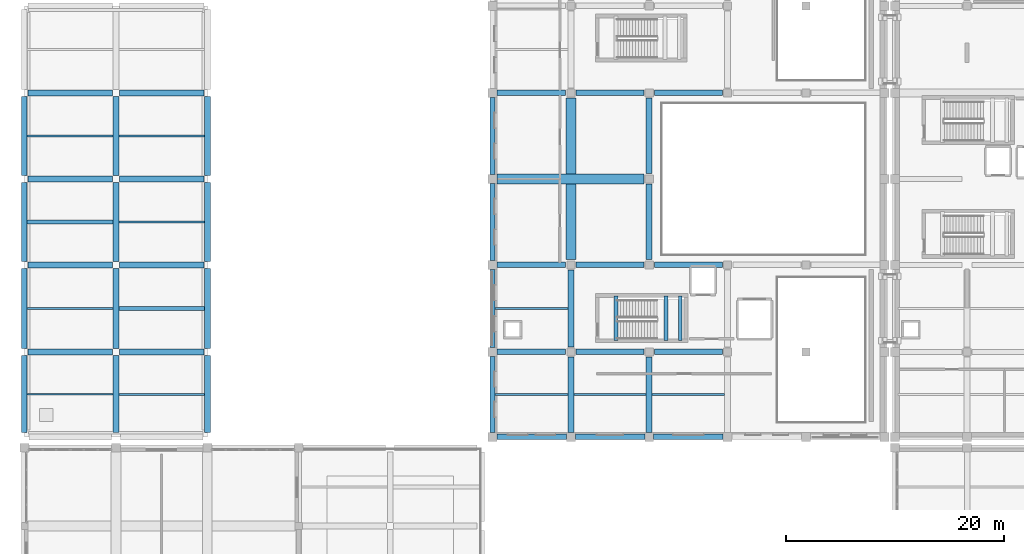
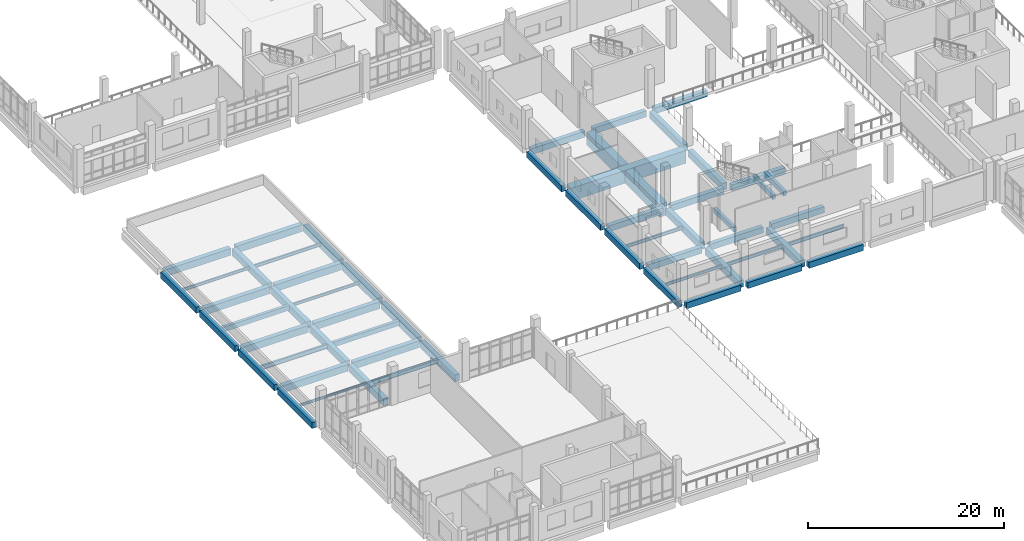
# One storey, part 6 of 73: 58 beams.
"""IFC4 building model written with IfcOpenShell, lengths in metres."""

from ifc_helpers import new_model, si_unit, direction, frame, origin, origin_2d, place, context, subcontext, project, spatial, rectangle, i_section, extrude, material, material_profile, profile_set, type_object, element, save


model = new_model("IFC4")

# Units and contexts
model_context = context("Model", 3, precision=1e-05, world=origin(), true_north=direction((0.0, 1.0)))
body_context = subcontext(model_context, "Body", "Model", "MODEL_VIEW")
ifc_project = project(units=[si_unit("LENGTHUNIT", "METRE"), si_unit("AREAUNIT", "SQUARE_METRE"), si_unit("VOLUMEUNIT", "CUBIC_METRE"), si_unit("PLANEANGLEUNIT", "RADIAN"), si_unit("MASSUNIT", "GRAM", prefix="KILO")], contexts=[model_context])

# Site, building, storey
site_placement = place(None, origin())
site = spatial("IfcSite", under=ifc_project, at=site_placement, CompositionType="ELEMENT")
building_placement = place(site_placement, origin())
building = spatial("IfcBuilding", under=site, at=building_placement, Name="Kelarvand Opera House", CompositionType="ELEMENT")
storey_placement = place(building_placement, frame((0.0, 0.0, 10.199951171875)))
storey = spatial("IfcBuildingStorey", under=building, at=storey_placement, Name="L02", CompositionType="ELEMENT", Elevation=10.199951171875)

# Beams
ifc_material_1 = material(Name="Concrete C35/45", Category="concrete")
ifc_material_profile_1 = material_profile(ifc_material_1, rectangle(XDim=0.35009765625, YDim=0.60009765625, at=origin_2d()), Name="RC 350x600", Category="concrete")
ifc_profile_set_1 = profile_set([ifc_material_profile_1], Name="Concrete C35/45")
beam_type_1 = type_object("IfcBeamType", Name="Structural Beam RC 350x600 BM-RC350x600", PredefinedType="BEAM", material=ifc_profile_set_1)
beam_1_placement = place(storey_placement, frame((9.25, 58.550048828125, -0.599853515625), z_axis=(1.0, 0.0, 0.0), x_axis=(0.0, 1.0, 0.0)))
element("IfcBeam", 1, at=beam_1_placement, inside=storey, type_object=beam_type_1, Name="V4 L02 Beam BM-RC350x600", PredefinedType="BEAM", context=body_context, shape_type="SweptSolid", body=[
    extrude(rectangle(XDim=0.35009765625, YDim=0.60009765625, at=origin_2d()), origin(), (0.0, 0.0, 1.0), 7.875),
])
beam_2_placement = place(storey_placement, frame((17.675048828125, 50.60009765625, -0.599853515625), z_axis=(1.0, 0.0, 0.0), x_axis=(0.0, 1.0, 0.0)))
element("IfcBeam", 2, at=beam_2_placement, inside=storey, type_object=beam_type_1, Name="V4 L02 Beam BM-RC350x600", PredefinedType="BEAM", context=body_context, shape_type="SweptSolid", body=[
    extrude(rectangle(XDim=0.35009765625, YDim=0.60009765625, at=origin_2d()), origin(), (0.0, 0.0, 1.0), 7.849853515625),
])
for number, where, z_axis, x_axis, name in (
    (3, (63.340087890625, 47.64990234375, -0.52001953125), (0.0, 1.0, 0.0), (-1.0, 0.0, 0.0), "C2 Stair Landing Support Beam L02"),
    (4, (67.949951171875, 47.64990234375, 1.900146484375), (0.0, 1.0, 0.0), (-1.0, 0.0, 0.0), "C2 Stair Half-Landing Beam 1 L02"),
    (5, (69.25, 47.64990234375, 1.900146484375), (0.0, 1.0, 0.0), (-1.0, 0.0, 0.0), "C2 Stair Half-Landing Beam 2 L02"),
):
    element("IfcBeam", number, at=place(storey_placement, frame(where, z_axis=z_axis, x_axis=x_axis)), inside=storey, type_object=beam_type_1, Name=name, PredefinedType="BEAM", context=body_context, shape_type="SweptSolid", body=[
        extrude(rectangle(XDim=0.35009765625, YDim=0.60009765625, at=origin_2d()), origin(), (0.0, 0.0, 1.0), 4.10009765625),
    ])
ifc_material_2 = material(Name="Concrete C40/50", Category="concrete")
ifc_material_profile_2 = material_profile(ifc_material_2, rectangle(XDim=0.5, YDim=0.75, at=origin_2d()), Name="RC 500x750", Category="concrete")
ifc_profile_set_2 = profile_set([ifc_material_profile_2], Name="Concrete C40/50")
beam_type_2 = type_object("IfcBeamType", Name="Structural Beam RC 500x750 BM-RC500x750", PredefinedType="BEAM", material=ifc_profile_set_2)
beam_3_placement = place(storey_placement, frame((52.409912109375, 46.60009765625, -0.695068359375), z_axis=(1.0, 0.0, 0.0), x_axis=(0.0, 1.0, 0.0)))
element("IfcBeam", 6, at=beam_3_placement, inside=storey, type_object=beam_type_2, Name="V2 L02 Beam BM-RC500x750", PredefinedType="BEAM", context=body_context, shape_type="SweptSolid", body=[
    extrude(rectangle(XDim=0.5, YDim=0.75, at=origin_2d()), origin(), (0.0, 0.0, 1.0), 6.315185546875),
])
for number, where, z_axis, x_axis, name in (
    (7, (59.675048828125, 46.60009765625, -0.695068359375), (1.0, 0.0, 0.0), (0.0, 1.0, 0.0), "V2 L02 Beam BM-RC500x750"),
    (8, (66.875, 46.60009765625, -0.695068359375), (1.0, 0.0, 0.0), (0.0, 1.0, 0.0), "V2 L02 Beam BM-RC500x750"),
):
    element("IfcBeam", number, at=place(storey_placement, frame(where, z_axis=z_axis, x_axis=x_axis)), inside=storey, type_object=beam_type_2, Name=name, PredefinedType="BEAM", context=body_context, shape_type="SweptSolid", body=[
        extrude(rectangle(XDim=0.5, YDim=0.75, at=origin_2d()), origin(), (0.0, 0.0, 1.0), 6.25),
    ])
beam_4_placement = place(storey_placement, frame((52.409912109375, 54.60009765625, -0.695068359375), z_axis=(1.0, 0.0, 0.0), x_axis=(0.0, 1.0, 0.0)))
element("IfcBeam", 9, at=beam_4_placement, inside=storey, type_object=beam_type_2, Name="V2 L02 Beam BM-RC500x750", PredefinedType="BEAM", context=body_context, shape_type="SweptSolid", body=[
    extrude(rectangle(XDim=0.5, YDim=0.75, at=origin_2d()), origin(), (0.0, 0.0, 1.0), 6.315185546875),
])
for number, where, z_axis, x_axis, name in (
    (10, (59.675048828125, 54.60009765625, -0.695068359375), (1.0, 0.0, 0.0), (0.0, 1.0, 0.0), "V2 L02 Beam BM-RC500x750"),
    (11, (66.875, 54.60009765625, -0.695068359375), (1.0, 0.0, 0.0), (0.0, 1.0, 0.0), "V2 L02 Beam BM-RC500x750"),
):
    element("IfcBeam", number, at=place(storey_placement, frame(where, z_axis=z_axis, x_axis=x_axis)), inside=storey, type_object=beam_type_2, Name=name, PredefinedType="BEAM", context=body_context, shape_type="SweptSolid", body=[
        extrude(rectangle(XDim=0.5, YDim=0.75, at=origin_2d()), origin(), (0.0, 0.0, 1.0), 6.25),
    ])
beam_5_placement = place(storey_placement, frame((52.409912109375, 70.39990234375, -0.695068359375), z_axis=(1.0, 0.0, 0.0), x_axis=(0.0, 1.0, 0.0)))
element("IfcBeam", 12, at=beam_5_placement, inside=storey, type_object=beam_type_2, Name="V2 L02 Beam BM-RC500x750", PredefinedType="BEAM", context=body_context, shape_type="SweptSolid", body=[
    extrude(rectangle(XDim=0.5, YDim=0.75, at=origin_2d()), origin(), (0.0, 0.0, 1.0), 6.315185546875),
])
for number, where, z_axis, x_axis, name in (
    (13, (59.675048828125, 70.39990234375, -0.695068359375), (1.0, 0.0, 0.0), (0.0, 1.0, 0.0), "V2 L02 Beam BM-RC500x750"),
    (14, (66.875, 70.39990234375, -0.695068359375), (1.0, 0.0, 0.0), (0.0, 1.0, 0.0), "V2 L02 Beam BM-RC500x750"),
):
    element("IfcBeam", number, at=place(storey_placement, frame(where, z_axis=z_axis, x_axis=x_axis)), inside=storey, type_object=beam_type_2, Name=name, PredefinedType="BEAM", context=body_context, shape_type="SweptSolid", body=[
        extrude(rectangle(XDim=0.5, YDim=0.75, at=origin_2d()), origin(), (0.0, 0.0, 1.0), 6.25),
    ])
ifc_material_profile_3 = material_profile(ifc_material_2, rectangle(XDim=0.550048828125, YDim=0.85009765625, at=origin_2d()), Name="RC 550x850", Category="concrete")
ifc_profile_set_3 = profile_set([ifc_material_profile_3], Name="Concrete C40/50")
beam_type_3 = type_object("IfcBeamType", Name="Structural Beam RC 550x850 BM-RC550x850", PredefinedType="BEAM", material=ifc_profile_set_3)
beam_6_placement = place(storey_placement, frame((59.199951171875, 39.2099609375, -0.744873046875), z_axis=(0.0, 1.0, 0.0), x_axis=(-1.0, 0.0, 0.0)))
element("IfcBeam", 15, at=beam_6_placement, inside=storey, type_object=beam_type_3, Name="V2 L02 Beam BM-RC550x850", PredefinedType="BEAM", context=body_context, shape_type="SweptSolid", body=[
    extrude(rectangle(XDim=0.550048828125, YDim=0.85009765625, at=origin_2d()), origin(), (0.0, 0.0, 1.0), 6.9150390625),
])
beam_7_placement = place(storey_placement, frame((59.199951171875, 47.074951171875, -0.744873046875), z_axis=(0.0, 1.0, 0.0), x_axis=(-1.0, 0.0, 0.0)))
element("IfcBeam", 16, at=beam_7_placement, inside=storey, type_object=beam_type_3, Name="V2 L02 Beam BM-RC550x850", PredefinedType="BEAM", context=body_context, shape_type="SweptSolid", body=[
    extrude(rectangle(XDim=0.550048828125, YDim=0.85009765625, at=origin_2d()), origin(), (0.0, 0.0, 1.0), 7.050048828125),
])
beam_8_placement = place(storey_placement, frame((66.39990234375, 39.2099609375, -0.744873046875), z_axis=(0.0, 1.0, 0.0), x_axis=(-1.0, 0.0, 0.0)))
element("IfcBeam", 17, at=beam_8_placement, inside=storey, type_object=beam_type_3, Name="V2 L02 Beam BM-RC550x850", PredefinedType="BEAM", context=body_context, shape_type="SweptSolid", body=[
    extrude(rectangle(XDim=0.550048828125, YDim=0.85009765625, at=origin_2d()), origin(), (0.0, 0.0, 1.0), 6.9150390625),
])
for number, where, z_axis, x_axis, name in (
    (18, (66.39990234375, 55.074951171875, -0.744873046875), (0.0, 1.0, 0.0), (-1.0, 0.0, 0.0), "V2 L02 Beam BM-RC550x850"),
    (19, (66.39990234375, 62.97509765625, -0.744873046875), (0.0, 1.0, 0.0), (-1.0, 0.0, 0.0), "V2 L02 Beam BM-RC550x850"),
):
    element("IfcBeam", number, at=place(storey_placement, frame(where, z_axis=z_axis, x_axis=x_axis)), inside=storey, type_object=beam_type_3, Name=name, PredefinedType="BEAM", context=body_context, shape_type="SweptSolid", body=[
        extrude(rectangle(XDim=0.550048828125, YDim=0.85009765625, at=origin_2d()), origin(), (0.0, 0.0, 1.0), 6.949951171875),
    ])
for number, where, z_axis, x_axis, name in (
    (20, (9.324951171875, 46.60009765625, -0.724853515625), (1.0, 0.0, 0.0), (0.0, 1.0, 0.0), "V4 L02 Beam BM-RC550x850"),
    (21, (17.72509765625, 46.60009765625, -0.724853515625), (1.0, 0.0, 0.0), (0.0, 1.0, 0.0), "V4 L02 Beam BM-RC550x850"),
    (22, (9.324951171875, 54.60009765625, -0.724853515625), (1.0, 0.0, 0.0), (0.0, 1.0, 0.0), "V4 L02 Beam BM-RC550x850"),
    (23, (17.72509765625, 54.60009765625, -0.724853515625), (1.0, 0.0, 0.0), (0.0, 1.0, 0.0), "V4 L02 Beam BM-RC550x850"),
    (24, (9.324951171875, 62.5, -0.724853515625), (1.0, 0.0, 0.0), (0.0, 1.0, 0.0), "V4 L02 Beam BM-RC550x850"),
    (25, (17.72509765625, 62.5, -0.724853515625), (1.0, 0.0, 0.0), (0.0, 1.0, 0.0), "V4 L02 Beam BM-RC550x850"),
    (26, (9.324951171875, 70.39990234375, -0.724853515625), (1.0, 0.0, 0.0), (0.0, 1.0, 0.0), "V4 L02 Beam BM-RC550x850"),
    (27, (17.72509765625, 70.39990234375, -0.724853515625), (1.0, 0.0, 0.0), (0.0, 1.0, 0.0), "V4 L02 Beam BM-RC550x850"),
):
    element("IfcBeam", number, at=place(storey_placement, frame(where, z_axis=z_axis, x_axis=x_axis)), inside=storey, type_object=beam_type_3, Name=name, PredefinedType="BEAM", context=body_context, shape_type="SweptSolid", body=[
        extrude(rectangle(XDim=0.550048828125, YDim=0.85009765625, at=origin_2d()), origin(), (0.0, 0.0, 1.0), 7.75),
    ])
beam_9_placement = place(storey_placement, frame((17.39990234375, 39.2099609375, -0.724853515625), z_axis=(0.0, 1.0, 0.0), x_axis=(-1.0, 0.0, 0.0)))
element("IfcBeam", 28, at=beam_9_placement, inside=storey, type_object=beam_type_3, Name="V4 L02 Beam BM-RC550x850", PredefinedType="BEAM", context=body_context, shape_type="SweptSolid", body=[
    extrude(rectangle(XDim=0.550048828125, YDim=0.85009765625, at=origin_2d()), origin(), (0.0, 0.0, 1.0), 7.06494140625),
])
beam_10_placement = place(storey_placement, frame((17.39990234375, 46.925048828125, -0.724853515625), z_axis=(0.0, 1.0, 0.0), x_axis=(-1.0, 0.0, 0.0)))
element("IfcBeam", 29, at=beam_10_placement, inside=storey, type_object=beam_type_3, Name="V4 L02 Beam BM-RC550x850", PredefinedType="BEAM", context=body_context, shape_type="SweptSolid", body=[
    extrude(rectangle(XDim=0.550048828125, YDim=0.85009765625, at=origin_2d()), origin(), (0.0, 0.0, 1.0), 7.349853515625),
])
for number, where, z_axis, x_axis, name in (
    (30, (17.39990234375, 54.925048828125, -0.724853515625), (0.0, 1.0, 0.0), (-1.0, 0.0, 0.0), "V4 L02 Beam BM-RC550x850"),
    (31, (17.39990234375, 62.824951171875, -0.724853515625), (0.0, 1.0, 0.0), (-1.0, 0.0, 0.0), "V4 L02 Beam BM-RC550x850"),
):
    element("IfcBeam", number, at=place(storey_placement, frame(where, z_axis=z_axis, x_axis=x_axis)), inside=storey, type_object=beam_type_3, Name=name, PredefinedType="BEAM", context=body_context, shape_type="SweptSolid", body=[
        extrude(rectangle(XDim=0.550048828125, YDim=0.85009765625, at=origin_2d()), origin(), (0.0, 0.0, 1.0), 7.25),
    ])
beam_11_placement = place(storey_placement, frame((25.800048828125, 39.2099609375, -0.724853515625), z_axis=(0.0, 1.0, 0.0), x_axis=(-1.0, 0.0, 0.0)))
element("IfcBeam", 32, at=beam_11_placement, inside=storey, type_object=beam_type_3, Name="V4 L02 Beam BM-RC550x850", PredefinedType="BEAM", context=body_context, shape_type="SweptSolid", body=[
    extrude(rectangle(XDim=0.550048828125, YDim=0.85009765625, at=origin_2d()), origin(), (0.0, 0.0, 1.0), 7.06494140625),
])
beam_12_placement = place(storey_placement, frame((25.800048828125, 46.925048828125, -0.724853515625), z_axis=(0.0, 1.0, 0.0), x_axis=(-1.0, 0.0, 0.0)))
element("IfcBeam", 33, at=beam_12_placement, inside=storey, type_object=beam_type_3, Name="V4 L02 Beam BM-RC550x850", PredefinedType="BEAM", context=body_context, shape_type="SweptSolid", body=[
    extrude(rectangle(XDim=0.550048828125, YDim=0.85009765625, at=origin_2d()), origin(), (0.0, 0.0, 1.0), 7.349853515625),
])
for number, where, z_axis, x_axis, name in (
    (34, (25.800048828125, 54.925048828125, -0.724853515625), (0.0, 1.0, 0.0), (-1.0, 0.0, 0.0), "V4 L02 Beam BM-RC550x850"),
    (35, (25.800048828125, 62.824951171875, -0.724853515625), (0.0, 1.0, 0.0), (-1.0, 0.0, 0.0), "V4 L02 Beam BM-RC550x850"),
):
    element("IfcBeam", number, at=place(storey_placement, frame(where, z_axis=z_axis, x_axis=x_axis)), inside=storey, type_object=beam_type_3, Name=name, PredefinedType="BEAM", context=body_context, shape_type="SweptSolid", body=[
        extrude(rectangle(XDim=0.550048828125, YDim=0.85009765625, at=origin_2d()), origin(), (0.0, 0.0, 1.0), 7.25),
    ])
ifc_material_profile_4 = material_profile(ifc_material_2, rectangle(XDim=0.89990234375, YDim=1.60009765625, at=origin_2d()), Name="RC 900x1600", Category="concrete")
ifc_profile_set_4 = profile_set([ifc_material_profile_4], Name="Concrete C40/50")
beam_type_4 = type_object("IfcBeamType", Name="Structural Beam RC 900x1600 BM-RC900x1600", PredefinedType="BEAM", material=ifc_profile_set_4)
beam_13_placement = place(storey_placement, frame((52.409912109375, 62.5, -1.119873046875), z_axis=(1.0, 0.0, 0.0), x_axis=(0.0, 1.0, 0.0)))
element("IfcBeam", 36, at=beam_13_placement, inside=storey, type_object=beam_type_4, Name="V2 L02 Beam BM-RC900x1600", PredefinedType="BEAM", context=body_context, shape_type="SweptSolid", body=[
    extrude(rectangle(XDim=0.89990234375, YDim=1.60009765625, at=origin_2d()), origin(), (0.0, 0.0, 1.0), 13.51513671875),
])
beam_14_placement = place(storey_placement, frame((59.199951171875, 55.074951171875, -1.119873046875), z_axis=(0.0, 1.0, 0.0), x_axis=(-1.0, 0.0, 0.0)))
element("IfcBeam", 37, at=beam_14_placement, inside=storey, type_object=beam_type_4, Name="V2 L02 Beam BM-RC900x1600", PredefinedType="BEAM", context=body_context, shape_type="SweptSolid", body=[
    extrude(rectangle(XDim=0.89990234375, YDim=1.60009765625, at=origin_2d()), origin(), (0.0, 0.0, 1.0), 14.85009765625),
])
ifc_material_3 = material(Name="Steel S355", Category="steel")
ifc_material_profile_5 = material_profile(ifc_material_3, i_section(OverallWidth=0.14990234375, OverallDepth=0.300048828125, WebThickness=0.007080078125, FlangeThickness=0.0107421875, at=origin_2d()), Name="IPE 300", Category="steel")
ifc_profile_set_5 = profile_set([ifc_material_profile_5], Name="Steel S355")
beam_type_5 = type_object("IfcBeamType", Name="Structural Joist IPE 300 JS-IPE300", PredefinedType="JOIST", material=ifc_profile_set_5)
beam_15_placement = place(storey_placement, frame((9.25, 42.699951171875, -0.449951171875), z_axis=(1.0, 0.0, 0.0), x_axis=(0.0, 1.0, 0.0)))
element("IfcBeam", 38, at=beam_15_placement, inside=storey, type_object=beam_type_5, Name="V4 L02 Beam JS-IPE300", PredefinedType="JOIST", context=body_context, shape_type="SweptSolid", body=[
    extrude(i_section(OverallWidth=0.14990234375, OverallDepth=0.300048828125, WebThickness=0.007080078125, FlangeThickness=0.0107421875, at=origin_2d()), origin(), (0.0, 0.0, 1.0), 7.875),
])
ifc_material_profile_6 = material_profile(ifc_material_3, i_section(OverallWidth=0.169921875, OverallDepth=0.360107421875, WebThickness=0.008056640625, FlangeThickness=0.0126953125, at=origin_2d()), Name="IPE 360", Category="steel")
ifc_profile_set_6 = profile_set([ifc_material_profile_6], Name="Steel S355")
beam_type_6 = type_object("IfcBeamType", Name="Structural Joist IPE 360 JS-IPE360", PredefinedType="JOIST", material=ifc_profile_set_6)
beam_16_placement = place(storey_placement, frame((52.25, 42.699951171875, -0.5), z_axis=(1.0, 0.0, 0.0), x_axis=(0.0, 1.0, 0.0)))
element("IfcBeam", 39, at=beam_16_placement, inside=storey, type_object=beam_type_6, Name="V2 L02 Beam JS-IPE360", PredefinedType="JOIST", context=body_context, shape_type="SweptSolid", body=[
    extrude(i_section(OverallWidth=0.169921875, OverallDepth=0.360107421875, WebThickness=0.008056640625, FlangeThickness=0.0126953125, at=origin_2d()), origin(), (0.0, 0.0, 1.0), 6.675048828125),
])
beam_17_placement = place(storey_placement, frame((9.25, 66.449951171875, -0.47998046875), z_axis=(1.0, 0.0, 0.0), x_axis=(0.0, 1.0, 0.0)))
element("IfcBeam", 40, at=beam_17_placement, inside=storey, type_object=beam_type_6, Name="V4 L02 Beam JS-IPE360", PredefinedType="JOIST", context=body_context, shape_type="SweptSolid", body=[
    extrude(i_section(OverallWidth=0.169921875, OverallDepth=0.360107421875, WebThickness=0.008056640625, FlangeThickness=0.0126953125, at=origin_2d()), origin(), (0.0, 0.0, 1.0), 7.875),
])
beam_18_placement = place(storey_placement, frame((17.675048828125, 58.550048828125, -0.47998046875), z_axis=(1.0, 0.0, 0.0), x_axis=(0.0, 1.0, 0.0)))
element("IfcBeam", 41, at=beam_18_placement, inside=storey, type_object=beam_type_6, Name="V4 L02 Beam JS-IPE360", PredefinedType="JOIST", context=body_context, shape_type="SweptSolid", body=[
    extrude(i_section(OverallWidth=0.169921875, OverallDepth=0.360107421875, WebThickness=0.008056640625, FlangeThickness=0.0126953125, at=origin_2d()), origin(), (0.0, 0.0, 1.0), 7.849853515625),
])
ifc_material_profile_7 = material_profile(ifc_material_3, i_section(OverallWidth=0.179931640625, OverallDepth=0.39990234375, WebThickness=0.008544921875, FlangeThickness=0.013427734375, at=origin_2d()), Name="IPE 400", Category="steel")
ifc_profile_set_7 = profile_set([ifc_material_profile_7], Name="Steel S355")
beam_type_7 = type_object("IfcBeamType", Name="Structural Joist IPE 400 JS-IPE400", PredefinedType="JOIST", material=ifc_profile_set_7)
beam_19_placement = place(storey_placement, frame((52.25, 50.60009765625, -0.52001953125), z_axis=(1.0, 0.0, 0.0), x_axis=(0.0, 1.0, 0.0)))
element("IfcBeam", 42, at=beam_19_placement, inside=storey, type_object=beam_type_7, Name="V2 L02 Beam JS-IPE400", PredefinedType="JOIST", context=body_context, shape_type="SweptSolid", body=[
    extrude(i_section(OverallWidth=0.179931640625, OverallDepth=0.39990234375, WebThickness=0.008544921875, FlangeThickness=0.013427734375, at=origin_2d()), origin(), (0.0, 0.0, 1.0), 6.675048828125),
])
beam_20_placement = place(storey_placement, frame((59.47509765625, 42.699951171875, -0.52001953125), z_axis=(1.0, 0.0, 0.0), x_axis=(0.0, 1.0, 0.0)))
element("IfcBeam", 43, at=beam_20_placement, inside=storey, type_object=beam_type_7, Name="V2 L02 Beam JS-IPE400", PredefinedType="JOIST", context=body_context, shape_type="SweptSolid", body=[
    extrude(i_section(OverallWidth=0.179931640625, OverallDepth=0.39990234375, WebThickness=0.008544921875, FlangeThickness=0.013427734375, at=origin_2d()), origin(), (0.0, 0.0, 1.0), 6.64990234375),
])
beam_21_placement = place(storey_placement, frame((17.675048828125, 66.449951171875, -0.5), z_axis=(1.0, 0.0, 0.0), x_axis=(0.0, 1.0, 0.0)))
element("IfcBeam", 44, at=beam_21_placement, inside=storey, type_object=beam_type_7, Name="V4 L02 Beam JS-IPE400", PredefinedType="JOIST", context=body_context, shape_type="SweptSolid", body=[
    extrude(i_section(OverallWidth=0.179931640625, OverallDepth=0.39990234375, WebThickness=0.008544921875, FlangeThickness=0.013427734375, at=origin_2d()), origin(), (0.0, 0.0, 1.0), 7.849853515625),
])
ifc_material_profile_8 = material_profile(ifc_material_3, i_section(OverallWidth=0.18994140625, OverallDepth=0.449951171875, WebThickness=0.009521484375, FlangeThickness=0.0146484375, at=origin_2d()), Name="IPE 450", Category="steel")
ifc_profile_set_8 = profile_set([ifc_material_profile_8], Name="Steel S355")
beam_type_8 = type_object("IfcBeamType", Name="Structural Joist IPE 450 JS-IPE450", PredefinedType="JOIST", material=ifc_profile_set_8)
beam_22_placement = place(storey_placement, frame((66.675048828125, 42.699951171875, -0.544921875), z_axis=(1.0, 0.0, 0.0), x_axis=(0.0, 1.0, 0.0)))
element("IfcBeam", 45, at=beam_22_placement, inside=storey, type_object=beam_type_8, Name="V2 L02 Beam JS-IPE450", PredefinedType="JOIST", context=body_context, shape_type="SweptSolid", body=[
    extrude(i_section(OverallWidth=0.18994140625, OverallDepth=0.449951171875, WebThickness=0.009521484375, FlangeThickness=0.0146484375, at=origin_2d()), origin(), (0.0, 0.0, 1.0), 6.64990234375),
])
ifc_material_profile_9 = material_profile(ifc_material_3, i_section(OverallWidth=0.2099609375, OverallDepth=0.550048828125, WebThickness=0.010986328125, FlangeThickness=0.01708984375, at=origin_2d()), Name="IPE 550", Category="steel")
ifc_profile_set_9 = profile_set([ifc_material_profile_9], Name="Steel S355")
beam_type_9 = type_object("IfcBeamType", Name="Structural Joist IPE 550 JS-IPE550", PredefinedType="JOIST", material=ifc_profile_set_9)
beam_23_placement = place(storey_placement, frame((9.25, 50.60009765625, -0.574951171875), z_axis=(1.0, 0.0, 0.0), x_axis=(0.0, 1.0, 0.0)))
element("IfcBeam", 46, at=beam_23_placement, inside=storey, type_object=beam_type_9, Name="V4 L02 Beam JS-IPE550", PredefinedType="JOIST", context=body_context, shape_type="SweptSolid", body=[
    extrude(i_section(OverallWidth=0.2099609375, OverallDepth=0.550048828125, WebThickness=0.010986328125, FlangeThickness=0.01708984375, at=origin_2d()), origin(), (0.0, 0.0, 1.0), 7.875),
])
beam_24_placement = place(storey_placement, frame((17.675048828125, 42.699951171875, -0.574951171875), z_axis=(1.0, 0.0, 0.0), x_axis=(0.0, 1.0, 0.0)))
element("IfcBeam", 47, at=beam_24_placement, inside=storey, type_object=beam_type_9, Name="V4 L02 Beam JS-IPE550", PredefinedType="JOIST", context=body_context, shape_type="SweptSolid", body=[
    extrude(i_section(OverallWidth=0.2099609375, OverallDepth=0.550048828125, WebThickness=0.010986328125, FlangeThickness=0.01708984375, at=origin_2d()), origin(), (0.0, 0.0, 1.0), 7.849853515625),
])
ifc_material_profile_10 = material_profile(ifc_material_2, rectangle(XDim=0.5, YDim=0.75, at=origin_2d()), Name="RC 500x750", Category="concrete")
ifc_profile_set_10 = profile_set([ifc_material_profile_10], Name="Concrete C40/50")
beam_type_10 = type_object("IfcBeamType", Name="Structural Spandrel RC 500x750 SP-RC500x750E", PredefinedType="SPANDREL", material=ifc_profile_set_10)
beam_25_placement = place(storey_placement, frame((52.409912109375, 38.800048828125, -0.695068359375), z_axis=(1.0, 0.0, 0.0), x_axis=(0.0, 1.0, 0.0)))
element("IfcBeam", 48, at=beam_25_placement, inside=storey, type_object=beam_type_10, Name="V2 L02 Beam SP-RC500x750E", PredefinedType="SPANDREL", context=body_context, shape_type="SweptSolid", body=[
    extrude(rectangle(XDim=0.5, YDim=0.75, at=origin_2d()), origin(), (0.0, 0.0, 1.0), 6.380126953125),
])
for number, where, z_axis, x_axis, name in (
    (49, (59.610107421875, 38.800048828125, -0.695068359375), (1.0, 0.0, 0.0), (0.0, 1.0, 0.0), "V2 L02 Beam SP-RC500x750E"),
    (50, (66.81005859375, 38.800048828125, -0.695068359375), (1.0, 0.0, 0.0), (0.0, 1.0, 0.0), "V2 L02 Beam SP-RC500x750E"),
):
    element("IfcBeam", number, at=place(storey_placement, frame(where, z_axis=z_axis, x_axis=x_axis)), inside=storey, type_object=beam_type_10, Name=name, PredefinedType="SPANDREL", context=body_context, shape_type="SweptSolid", body=[
        extrude(rectangle(XDim=0.5, YDim=0.75, at=origin_2d()), origin(), (0.0, 0.0, 1.0), 6.3798828125),
    ])
beam_26_placement = place(storey_placement, frame((52.0, 39.2099609375, -0.695068359375), z_axis=(0.0, 1.0, 0.0), x_axis=(-1.0, 0.0, 0.0)))
element("IfcBeam", 51, at=beam_26_placement, inside=storey, type_object=beam_type_10, Name="V2 L02 Beam SP-RC500x750E", PredefinedType="SPANDREL", context=body_context, shape_type="SweptSolid", body=[
    extrude(rectangle(XDim=0.5, YDim=0.75, at=origin_2d()), origin(), (0.0, 0.0, 1.0), 6.97998046875),
])
beam_27_placement = place(storey_placement, frame((52.0, 47.010009765625, -0.695068359375), z_axis=(0.0, 1.0, 0.0), x_axis=(-1.0, 0.0, 0.0)))
element("IfcBeam", 52, at=beam_27_placement, inside=storey, type_object=beam_type_10, Name="V2 L02 Beam SP-RC500x750E", PredefinedType="SPANDREL", context=body_context, shape_type="SweptSolid", body=[
    extrude(rectangle(XDim=0.5, YDim=0.75, at=origin_2d()), origin(), (0.0, 0.0, 1.0), 7.179931640625),
])
for number, where, z_axis, x_axis, name in (
    (53, (52.0, 55.010009765625, -0.695068359375), (0.0, 1.0, 0.0), (-1.0, 0.0, 0.0), "V2 L02 Beam SP-RC500x750E"),
    (54, (52.0, 62.909912109375, -0.695068359375), (0.0, 1.0, 0.0), (-1.0, 0.0, 0.0), "V2 L02 Beam SP-RC500x750E"),
):
    element("IfcBeam", number, at=place(storey_placement, frame(where, z_axis=z_axis, x_axis=x_axis)), inside=storey, type_object=beam_type_10, Name=name, PredefinedType="SPANDREL", context=body_context, shape_type="SweptSolid", body=[
        extrude(rectangle(XDim=0.5, YDim=0.75, at=origin_2d()), origin(), (0.0, 0.0, 1.0), 7.080078125),
    ])
beam_28_placement = place(storey_placement, frame((9.0, 39.2099609375, -0.675048828125), z_axis=(0.0, 1.0, 0.0), x_axis=(-1.0, 0.0, 0.0)))
element("IfcBeam", 55, at=beam_28_placement, inside=storey, type_object=beam_type_10, Name="V4 L02 Beam SP-RC500x750E", PredefinedType="SPANDREL", context=body_context, shape_type="SweptSolid", body=[
    extrude(rectangle(XDim=0.5, YDim=0.75, at=origin_2d()), origin(), (0.0, 0.0, 1.0), 7.06494140625),
])
beam_29_placement = place(storey_placement, frame((9.0, 46.925048828125, -0.675048828125), z_axis=(0.0, 1.0, 0.0), x_axis=(-1.0, 0.0, 0.0)))
element("IfcBeam", 56, at=beam_29_placement, inside=storey, type_object=beam_type_10, Name="V4 L02 Beam SP-RC500x750E", PredefinedType="SPANDREL", context=body_context, shape_type="SweptSolid", body=[
    extrude(rectangle(XDim=0.5, YDim=0.75, at=origin_2d()), origin(), (0.0, 0.0, 1.0), 7.349853515625),
])
for number, where, z_axis, x_axis, name in (
    (57, (9.0, 54.925048828125, -0.675048828125), (0.0, 1.0, 0.0), (-1.0, 0.0, 0.0), "V4 L02 Beam SP-RC500x750E"),
    (58, (9.0, 62.824951171875, -0.675048828125), (0.0, 1.0, 0.0), (-1.0, 0.0, 0.0), "V4 L02 Beam SP-RC500x750E"),
):
    element("IfcBeam", number, at=place(storey_placement, frame(where, z_axis=z_axis, x_axis=x_axis)), inside=storey, type_object=beam_type_10, Name=name, PredefinedType="SPANDREL", context=body_context, shape_type="SweptSolid", body=[
        extrude(rectangle(XDim=0.5, YDim=0.75, at=origin_2d()), origin(), (0.0, 0.0, 1.0), 7.25),
    ])

save(model, "model.ifc")
